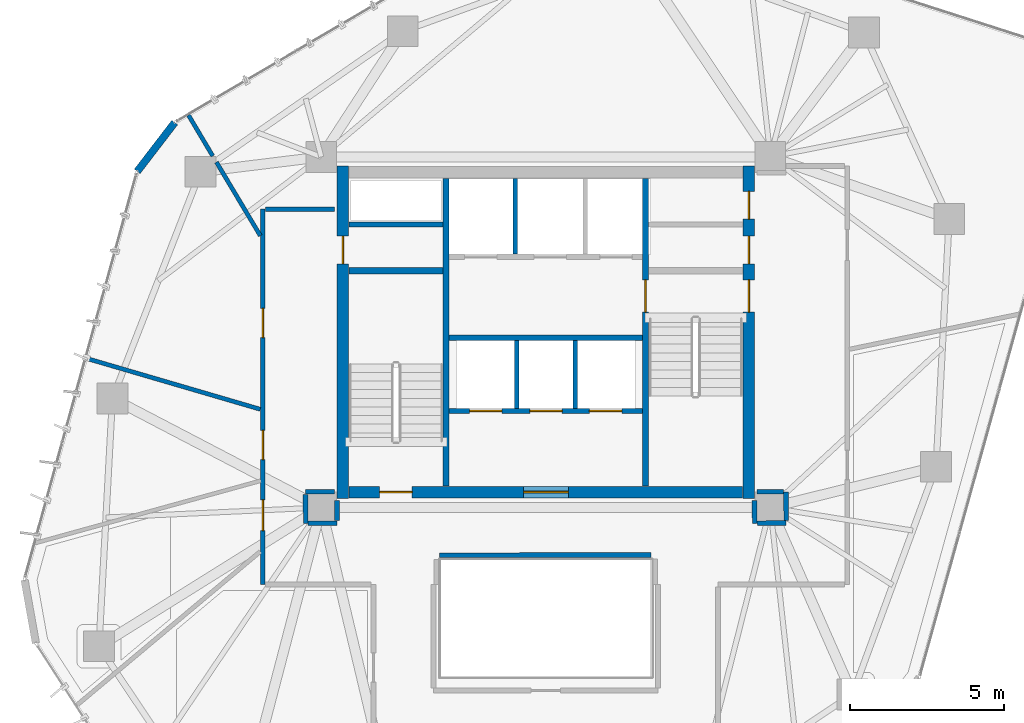
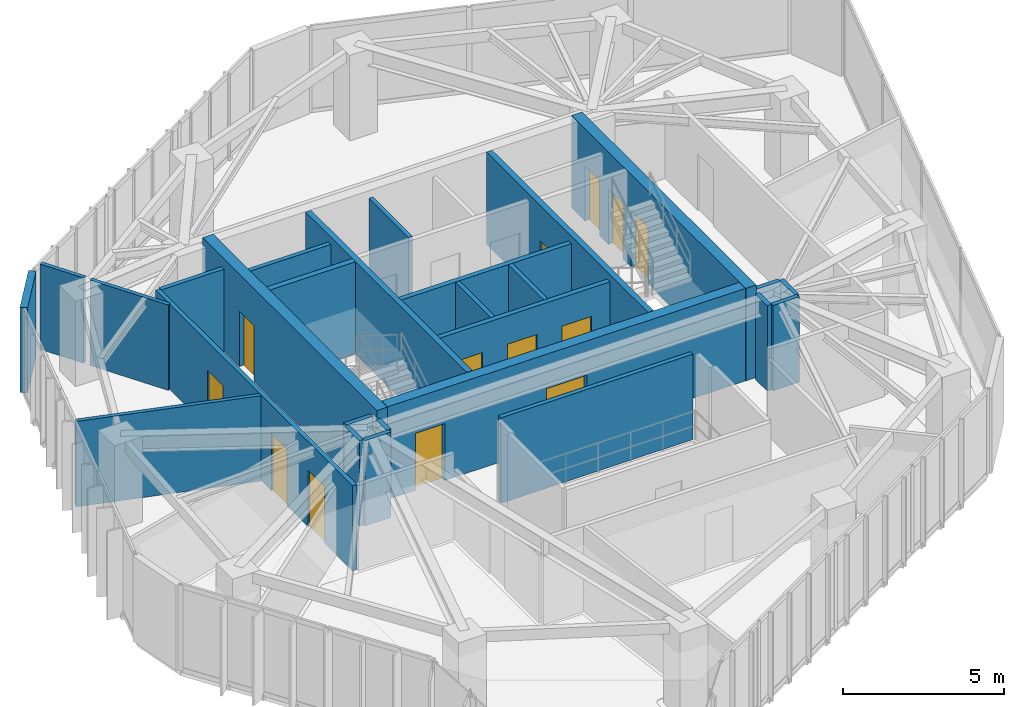
# One storey, part 16 of 19: 27 walls, 13 doors, 13 openings.
"""IFC4 building model written with IfcOpenShell, lengths in metres."""

from ifc_helpers import new_model, si_unit, direction, frame, frame_2d, origin, place, context, subcontext, project, spatial, rectangle, extrude, source, transform, mapped, material, layer, layer_set, type_object, type_shapes, element, fill, save


model = new_model("IFC4")

# Units and contexts
model_context = context("Model", 3, precision=1e-05, world=origin(), true_north=direction((0.0, 1.0)))
body_context = subcontext(model_context, "Body", "Model", "MODEL_VIEW")
ifc_project = project(units=[si_unit("LENGTHUNIT", "METRE"), si_unit("AREAUNIT", "SQUARE_METRE"), si_unit("VOLUMEUNIT", "CUBIC_METRE"), si_unit("PLANEANGLEUNIT", "RADIAN"), si_unit("MASSUNIT", "GRAM", prefix="KILO")], contexts=[model_context])

# Site, building, storey
site_placement = place(None, origin())
site = spatial("IfcSite", under=ifc_project, at=site_placement, CompositionType="ELEMENT")
building_placement = place(site_placement, origin())
building = spatial("IfcBuilding", under=site, at=building_placement, Name="Talar Marvaseh", CompositionType="ELEMENT")
storey_placement = place(building_placement, frame((0.0, 0.0, 181.0)))
storey = spatial("IfcBuildingStorey", under=building, at=storey_placement, Name="L47", CompositionType="ELEMENT", Elevation=181.0)

# Walls
ifc_material_1 = material(Name="Precast concrete C45/55", Category="concrete")
ifc_layer_1 = layer(ifc_material_1, 0.239990234375)
ifc_layer_set_1 = layer_set([ifc_layer_1], Name="Precast concrete C45/55")
wall_type_1 = type_object("IfcWallType", Name="Chamfered Hexagonal Corner Pier Wall Z3 240", PredefinedType="SOLIDWALL", material=ifc_layer_set_1)
wall_1_placement = place(storey_placement, frame((12.71630859375, 36.430419921875, 0.0), z_axis=(0.0, 0.0, 1.0), x_axis=(0.608797378934, 0.793325753649, 0.0)))
element("IfcWall", 1, at=wall_1_placement, inside=storey, type_object=wall_type_1, Name="L47 Chamfered Corner Limestone Pier 3", PredefinedType="SOLIDWALL", context=body_context, shape_type="SweptSolid", body=[
    extrude(rectangle(XDim=2.003173828125, YDim=0.239990234375, at=frame_2d((1.00146484375, 0.0))), origin(), (0.0, 0.0, 1.0), 3.22998046875),
])
ifc_material_2 = material(Name="Gypsum Board Partition Assembly")
ifc_layer_2 = layer(ifc_material_2, 0.155029296875)
ifc_layer_set_2 = layer_set([ifc_layer_2], Name="Gypsum Board Partition Assembly")
wall_type_2 = type_object("IfcWallType", Name="Corridor Fire-Rated Acoustic Partition 155", PredefinedType="PARTITIONING", material=ifc_layer_set_2)
wall_2_placement = place(storey_placement, frame((19.60009765625, 34.699951171875, 0.0), z_axis=(0.0, 0.0, 1.0), x_axis=(1.0, 0.0, 0.0)))
element("IfcWall", 2, at=wall_2_placement, inside=storey, type_object=wall_type_2, Name="L47 Core BOH Partition", PredefinedType="PARTITIONING", context=body_context, shape_type="SweptSolid", body=[
    extrude(rectangle(XDim=3.059814453125, YDim=0.155029296875, at=frame_2d((1.52978515625, 0.0))), origin(), (0.0, 0.0, 1.0), 3.22998046875),
])

# Wall, openings, doors
wall_3_placement = place(storey_placement, frame((16.800048828125, 23.0, 0.0), z_axis=(0.0, 0.0, 1.0), x_axis=(0.0, 1.0, 0.0)))
wall_3 = element("IfcWall", 3, at=wall_3_placement, inside=storey, type_object=wall_type_2, Name="L47 Interior Partition Wall", PredefinedType="PARTITIONING", context=body_context, shape_type="SweptSolid", body=[
    extrude(rectangle(XDim=12.199951171875, YDim=0.155029296875, at=frame_2d((6.10009765625, 0.0))), origin(), (0.0, 0.0, 1.0), 3.22998046875),
])
opening_1_placement = place(wall_3_placement, frame((4.056640625, 0.0, 0.0)))
opening_1 = element("IfcOpeningElement", 4, at=opening_1_placement, cuts=wall_3, Name="Opening DR-WC095", PredefinedType="OPENING", context=body_context, shape_type="SweptSolid", body=[
    extrude(rectangle(XDim=0.949951171875, YDim=2.14990234375, at=frame_2d((0.47509765625, 1.074951171875))), frame((0.0, 0.08740234375, 0.0), z_axis=(0.0, -1.0, 0.0), x_axis=(1.0, 0.0, 0.0)), (0.0, 0.0, 1.0), 0.175048828125),
])
opening_2_placement = place(wall_3_placement, frame((1.746826171875, 0.0, 0.0)))
opening_2 = element("IfcOpeningElement", 5, at=opening_2_placement, cuts=wall_3, Name="Opening DR-RM100", PredefinedType="OPENING", context=body_context, shape_type="SweptSolid", body=[
    extrude(rectangle(XDim=1.0, YDim=2.14990234375, at=frame_2d((0.5, 1.074951171875))), frame((0.0, 0.08740234375, 0.0), z_axis=(0.0, -1.0, 0.0), x_axis=(1.0, 0.0, 0.0)), (0.0, 0.0, 1.0), 0.175048828125),
])
opening_3_placement = place(wall_3_placement, frame((8.026123046875, 0.0, 0.0)))
opening_3 = element("IfcOpeningElement", 6, at=opening_3_placement, cuts=wall_3, Name="Opening DR-WC095", PredefinedType="OPENING", context=body_context, shape_type="SweptSolid", body=[
    extrude(rectangle(XDim=0.949951171875, YDim=2.14990234375, at=frame_2d((0.47509765625, 1.074951171875))), frame((0.0, 0.08740234375, 0.0), z_axis=(0.0, -1.0, 0.0), x_axis=(1.0, 0.0, 0.0)), (0.0, 0.0, 1.0), 0.175048828125),
])
ifc_material_3 = material(Name="Acoustic Engineered Oak Timber", Category="wood")
door_type_1 = type_object("IfcDoorType", Name="Washroom and Service Room Door 950x2150", OperationType="NOTDEFINED", PredefinedType="DOOR", material=ifc_material_3)
shared_shape_1 = source(origin(), body_context, "Body", "SweptSolid", [
    extrude(rectangle(XDim=0.949951171875, YDim=2.14990234375, at=frame_2d((0.47509765625, 1.074951171875))), frame((0.0, 0.02490234375, 0.0), z_axis=(0.0, -1.0, 0.0), x_axis=(1.0, 0.0, 0.0)), (0.0, 0.0, 1.0), 0.050048828125),
])
type_shapes(door_type_1, [shared_shape_1])
door_1_placement = place(opening_1_placement, origin())
door_1 = element("IfcDoor", 7, at=door_1_placement, inside=storey, type_object=door_type_1, Name="L47 Accessible WC Door", OperationType="SINGLE_SWING_RIGHT", OverallHeight=2.14990234375, OverallWidth=0.949951171875, PredefinedType="DOOR", context=body_context, shape_type="MappedRepresentation", body=[
    mapped(shared_shape_1, transform((0.0, 0.0, 0.0), x_axis=(1.0, 0.0, 0.0), y_axis=(0.0, 1.0, 0.0), z_axis=(0.0, 0.0, 1.0), scale=1.0)),
])
fill(opening_1, door_1)
door_2_placement = place(opening_3_placement, origin())
door_2 = element("IfcDoor", 8, at=door_2_placement, inside=storey, type_object=door_type_1, Name="L47 Manuscript Folio Archive Room Door", OperationType="SINGLE_SWING_LEFT", OverallHeight=2.14990234375, OverallWidth=0.949951171875, PredefinedType="DOOR", context=body_context, shape_type="MappedRepresentation", body=[
    mapped(shared_shape_1, transform((0.0, 0.0, 0.0), x_axis=(1.0, 0.0, 0.0), y_axis=(0.0, 1.0, 0.0), z_axis=(0.0, 0.0, 1.0), scale=1.0)),
])
fill(opening_3, door_2)
door_type_2 = type_object("IfcDoorType", Name="Corridor Fire-Rated Gallery Door 1000x2150", OperationType="NOTDEFINED", PredefinedType="DOOR", material=ifc_material_3)
shared_shape_2 = source(origin(), body_context, "Body", "SweptSolid", [
    extrude(rectangle(XDim=1.0, YDim=2.14990234375, at=frame_2d((0.5, 1.074951171875))), frame((0.0, 0.02490234375, 0.0), z_axis=(0.0, -1.0, 0.0), x_axis=(1.0, 0.0, 0.0)), (0.0, 0.0, 1.0), 0.050048828125),
])
type_shapes(door_type_2, [shared_shape_2])
door_3_placement = place(opening_2_placement, origin())
door_3 = element("IfcDoor", 9, at=door_3_placement, inside=storey, type_object=door_type_2, Name="L47 Seminar Room Door", OperationType="SINGLE_SWING_LEFT", OverallHeight=2.14990234375, OverallWidth=1.0, PredefinedType="DOOR", context=body_context, shape_type="MappedRepresentation", body=[
    mapped(shared_shape_2, transform((0.0, 0.0, 0.0), x_axis=(1.0, 0.0, 0.0), y_axis=(0.0, 1.0, 0.0), z_axis=(0.0, 0.0, 1.0), scale=1.0)),
])
fill(opening_2, door_3)

# Walls
wall_4_placement = place(storey_placement, frame((16.883544921875, 35.199951171875, 0.0), z_axis=(0.0, 0.0, 1.0), x_axis=(1.0, 0.0, 0.0)))
element("IfcWall", 10, at=wall_4_placement, inside=storey, type_object=wall_type_2, Name="L47 Interior Partition Wall", PredefinedType="PARTITIONING", context=body_context, shape_type="SweptSolid", body=[
    extrude(rectangle(XDim=2.246337890625, YDim=0.155029296875, at=frame_2d((1.123046875, 0.0))), origin(), (0.0, 0.0, 1.0), 3.22998046875),
])
wall_5_placement = place(storey_placement, frame((19.1298828125, 26.0146484375, 0.0), z_axis=(0.0, 0.0, 1.0), x_axis=(-0.99999026157, -0.004413248818, 0.0)))
element("IfcWall", 11, at=wall_5_placement, inside=storey, type_object=wall_type_2, Name="L47 Interior Partition Wall", PredefinedType="PARTITIONING", context=body_context, shape_type="SweptSolid", body=[
    extrude(rectangle(XDim=0.9404296875, YDim=0.155029296875, at=frame_2d((0.47021484375, 0.0))), origin(), (0.0, 0.0, 1.0), 3.22998046875),
])
wall_6_placement = place(storey_placement, frame((18.189697265625, 25.927001953125, 0.0), z_axis=(0.0, 0.0, 1.0), x_axis=(0.002078997586, -0.999997838882, 0.0)))
element("IfcWall", 12, at=wall_6_placement, inside=storey, type_object=wall_type_2, Name="L47 Interior Partition Wall", PredefinedType="PARTITIONING", context=body_context, shape_type="SweptSolid", body=[
    extrude(rectangle(XDim=0.939453125, YDim=0.155029296875, at=frame_2d((0.4697265625, 0.0))), origin(), (0.0, 0.0, 1.0), 3.22998046875),
])
wall_7_placement = place(storey_placement, frame((18.275146484375, 24.987548828125, 0.0), z_axis=(0.0, 0.0, 1.0), x_axis=(0.999999692748, 0.0007839036, 0.0)))
element("IfcWall", 13, at=wall_7_placement, inside=storey, type_object=wall_type_2, Name="L47 Interior Partition Wall", PredefinedType="PARTITIONING", context=body_context, shape_type="SweptSolid", body=[
    extrude(rectangle(XDim=0.934326171875, YDim=0.155029296875, at=frame_2d((0.46728515625, 0.0))), origin(), (0.0, 0.0, 1.0), 3.22998046875),
])
wall_8_placement = place(storey_placement, frame((19.210205078125, 25.072021484375, 0.0), z_axis=(0.0, 0.0, 1.0), x_axis=(0.007420945932, 0.999972464402, 0.0)))
element("IfcWall", 14, at=wall_8_placement, inside=storey, type_object=wall_type_2, Name="L47 Interior Partition Wall", PredefinedType="PARTITIONING", context=body_context, shape_type="SweptSolid", body=[
    extrude(rectangle(XDim=0.657958984375, YDim=0.155029296875, at=frame_2d((0.3291015625, 0.0))), origin(), (0.0, 0.0, 1.0), 3.22998046875),
])
wall_9_placement = place(storey_placement, frame((32.784912109375, 25.72998046875, 0.0), z_axis=(0.0, 0.0, 1.0), x_axis=(0.007570553288, -0.999971342951, 0.0)))
element("IfcWall", 15, at=wall_9_placement, inside=storey, type_object=wall_type_2, Name="L47 Interior Partition Wall", PredefinedType="PARTITIONING", context=body_context, shape_type="SweptSolid", body=[
    extrude(rectangle(XDim=0.74169921875, YDim=0.155029296875, at=frame_2d((0.370849609375, 0.0))), origin(), (0.0, 0.0, 1.0), 3.22998046875),
])
wall_10_placement = place(storey_placement, frame((32.8740234375, 24.9892578125, 0.0), z_axis=(0.0, 0.0, 1.0), x_axis=(0.999934835738, 0.01141596595, 0.0)))
element("IfcWall", 16, at=wall_10_placement, inside=storey, type_object=wall_type_2, Name="L47 Interior Partition Wall", PredefinedType="PARTITIONING", context=body_context, shape_type="SweptSolid", body=[
    extrude(rectangle(XDim=0.94091796875, YDim=0.155029296875, at=frame_2d((0.470458984375, 0.0))), origin(), (0.0, 0.0, 1.0), 3.22998046875),
])
wall_11_placement = place(storey_placement, frame((33.814697265625, 25.08349609375, 0.0), z_axis=(0.0, 0.0, 1.0), x_axis=(-0.004477173984, 0.999989977406, 0.0)))
element("IfcWall", 17, at=wall_11_placement, inside=storey, type_object=wall_type_2, Name="L47 Interior Partition Wall", PredefinedType="PARTITIONING", context=body_context, shape_type="SweptSolid", body=[
    extrude(rectangle(XDim=0.927001953125, YDim=0.155029296875, at=frame_2d((0.46337890625, 0.0))), origin(), (0.0, 0.0, 1.0), 3.22998046875),
])
wall_12_placement = place(storey_placement, frame((33.72705078125, 26.010986328125, 0.0), z_axis=(0.0, 0.0, 1.0), x_axis=(-0.999990868706, 0.004273465251, 0.0)))
element("IfcWall", 18, at=wall_12_placement, inside=storey, type_object=wall_type_2, Name="L47 Interior Partition Wall", PredefinedType="PARTITIONING", context=body_context, shape_type="SweptSolid", body=[
    extrude(rectangle(XDim=0.85693359375, YDim=0.155029296875, at=frame_2d((0.428466796875, 0.0))), origin(), (0.0, 0.0, 1.0), 3.22998046875),
])
wall_13_placement = place(storey_placement, frame((29.415771484375, 23.959228515625, 0.0), z_axis=(0.0, 0.0, 1.0), x_axis=(-0.999998607957, -0.001668557745, 0.0)))
element("IfcWall", 19, at=wall_13_placement, inside=storey, type_object=wall_type_2, Name="L47 Interior Partition Wall", PredefinedType="PARTITIONING", context=body_context, shape_type="SweptSolid", body=[
    extrude(rectangle(XDim=6.876953125, YDim=0.155029296875, at=frame_2d((3.4384765625, 0.0))), origin(), (0.0, 0.0, 1.0), 3.22998046875),
])
ifc_layer_3 = layer(ifc_material_1, 0.14501953125)
ifc_layer_set_3 = layer_set([ifc_layer_3], Name="Precast concrete C45/55")
wall_type_3 = type_object("IfcWallType", Name="Fire-Rated Lift Divider Wall 145", PredefinedType="SOLIDWALL", material=ifc_layer_set_3)
wall_14_placement = place(storey_placement, frame((25.0, 33.743408203125, 0.0), z_axis=(0.0, 0.0, 1.0), x_axis=(0.0, 1.0, 0.0)))
element("IfcWall", 20, at=wall_14_placement, inside=storey, type_object=wall_type_3, Name="L47 FFL-1/FFL-2 Divider", PredefinedType="SOLIDWALL", context=body_context, shape_type="SweptSolid", body=[
    extrude(rectangle(XDim=2.45654296875, YDim=0.14501953125, at=frame_2d((1.228271484375, 0.0))), origin(), (0.0, 0.0, 1.0), 3.22998046875),
])
for number, where, z_axis, x_axis, name in (
    (21, (25.050048828125, 28.719970703125, 0.0), (0.0, 0.0, 1.0), (0.0, 1.0, 0.0), "L47 PL-H1/PL-H2 Divider"),
    (22, (26.949951171875, 28.719970703125, 0.0), (0.0, 0.0, 1.0), (0.0, 1.0, 0.0), "L47 PL-H2/PL-H3 Divider"),
):
    element("IfcWall", number, at=place(storey_placement, frame(where, z_axis=z_axis, x_axis=x_axis)), inside=storey, type_object=wall_type_3, Name=name, PredefinedType="SOLIDWALL", context=body_context, shape_type="SweptSolid", body=[
        extrude(rectangle(XDim=2.20654296875, YDim=0.14501953125, at=frame_2d((1.103271484375, 0.0))), origin(), (0.0, 0.0, 1.0), 3.22998046875),
    ])
ifc_layer_4 = layer(ifc_material_1, 0.175048828125)
ifc_layer_set_4 = layer_set([ifc_layer_4], Name="Precast concrete C45/55")
wall_type_4 = type_object("IfcWallType", Name="Fire-Rated Lift Hoistway Enclosure Wall 175", PredefinedType="SOLIDWALL", material=ifc_layer_set_4)
wall_15_placement = place(storey_placement, frame((22.860107421875, 31.02001953125, 0.0), z_axis=(0.0, 0.0, 1.0), x_axis=(1.0, 0.0, 0.0)))
element("IfcWall", 23, at=wall_15_placement, inside=storey, type_object=wall_type_4, Name="L47 Firefighting Lobby South Smoke Wall", PredefinedType="SOLIDWALL", context=body_context, shape_type="SweptSolid", body=[
    extrude(rectangle(XDim=6.27978515625, YDim=0.175048828125, at=frame_2d((3.139892578125, 0.0))), origin(), (0.0, 0.0, 1.0), 3.22998046875),
])

# Wall, openings, doors
wall_16_placement = place(storey_placement, frame((22.860107421875, 28.639892578125, 0.0), z_axis=(0.0, 0.0, 1.0), x_axis=(1.0, 0.0, 0.0)))
wall_16 = element("IfcWall", 24, at=wall_16_placement, inside=storey, type_object=wall_type_4, Name="L47 High-Rise Lift Bank Front Wall", PredefinedType="SOLIDWALL", context=body_context, shape_type="SweptSolid", body=[
    extrude(rectangle(XDim=6.27978515625, YDim=0.175048828125, at=frame_2d((3.139892578125, 0.0))), origin(), (0.0, 0.0, 1.0), 3.22998046875),
])
opening_4_placement = place(wall_16_placement, frame((0.659912109375, 0.0, 0.0)))
opening_4 = element("IfcOpeningElement", 25, at=opening_4_placement, cuts=wall_16, Name="Opening LD-PLH1", PredefinedType="OPENING", context=body_context, shape_type="SweptSolid", body=[
    extrude(rectangle(XDim=1.050048828125, YDim=2.14990234375, at=frame_2d((0.52490234375, 1.074951171875))), frame((0.0, 0.09765625, 0.0), z_axis=(0.0, -1.0, 0.0), x_axis=(1.0, 0.0, 0.0)), (0.0, 0.0, 1.0), 0.195068359375),
])
opening_5_placement = place(wall_16_placement, frame((2.6201171875, 0.0, 0.0)))
opening_5 = element("IfcOpeningElement", 26, at=opening_5_placement, cuts=wall_16, Name="Opening LD-PLH2", PredefinedType="OPENING", context=body_context, shape_type="SweptSolid", body=[
    extrude(rectangle(XDim=1.050048828125, YDim=2.14990234375, at=frame_2d((0.52490234375, 1.074951171875))), frame((0.0, 0.09765625, 0.0), z_axis=(0.0, -1.0, 0.0), x_axis=(1.0, 0.0, 0.0)), (0.0, 0.0, 1.0), 0.195068359375),
])
opening_6_placement = place(wall_16_placement, frame((4.56005859375, 0.0, 0.0)))
opening_6 = element("IfcOpeningElement", 27, at=opening_6_placement, cuts=wall_16, Name="Opening LD-PLH3", PredefinedType="OPENING", context=body_context, shape_type="SweptSolid", body=[
    extrude(rectangle(XDim=1.050048828125, YDim=2.14990234375, at=frame_2d((0.52490234375, 1.074951171875))), frame((0.0, 0.09765625, 0.0), z_axis=(0.0, -1.0, 0.0), x_axis=(1.0, 0.0, 0.0)), (0.0, 0.0, 1.0), 0.195068359375),
])
ifc_material_4 = material(Name="Stainless Steel Grade 316", Category="steel")
door_type_3 = type_object("IfcDoorType", Name="Automatic Sliding Lift Landing Door 1050x2150", OperationType="NOTDEFINED", PredefinedType="DOOR", material=ifc_material_4)
shared_shape_3 = source(origin(), body_context, "Body", "SweptSolid", [
    extrude(rectangle(XDim=1.050048828125, YDim=2.14990234375, at=frame_2d((0.52490234375, 1.074951171875))), frame((0.0, 0.02490234375, 0.0), z_axis=(0.0, -1.0, 0.0), x_axis=(1.0, 0.0, 0.0)), (0.0, 0.0, 1.0), 0.050048828125),
])
type_shapes(door_type_3, [shared_shape_3])
door_4_placement = place(opening_4_placement, origin())
door_4 = element("IfcDoor", 28, at=door_4_placement, inside=storey, type_object=door_type_3, Name="L47 Lift PL-H1 Sliding Landing Door", OperationType="SLIDING_TO_LEFT", OverallHeight=2.14990234375, OverallWidth=1.050048828125, PredefinedType="DOOR", context=body_context, shape_type="MappedRepresentation", body=[
    mapped(shared_shape_3, transform((0.0, 0.0, 0.0), x_axis=(1.0, 0.0, 0.0), y_axis=(0.0, 1.0, 0.0), z_axis=(0.0, 0.0, 1.0), scale=1.0)),
])
fill(opening_4, door_4)
door_5_placement = place(opening_5_placement, origin())
door_5 = element("IfcDoor", 29, at=door_5_placement, inside=storey, type_object=door_type_3, Name="L47 Lift PL-H2 Sliding Landing Door", OperationType="SLIDING_TO_LEFT", OverallHeight=2.14990234375, OverallWidth=1.050048828125, PredefinedType="DOOR", context=body_context, shape_type="MappedRepresentation", body=[
    mapped(shared_shape_3, transform((0.0, 0.0, 0.0), x_axis=(1.0, 0.0, 0.0), y_axis=(0.0, 1.0, 0.0), z_axis=(0.0, 0.0, 1.0), scale=1.0)),
])
fill(opening_5, door_5)
door_6_placement = place(opening_6_placement, origin())
door_6 = element("IfcDoor", 30, at=door_6_placement, inside=storey, type_object=door_type_3, Name="L47 Lift PL-H3 Sliding Landing Door", OperationType="SLIDING_TO_LEFT", OverallHeight=2.14990234375, OverallWidth=1.050048828125, PredefinedType="DOOR", context=body_context, shape_type="MappedRepresentation", body=[
    mapped(shared_shape_3, transform((0.0, 0.0, 0.0), x_axis=(1.0, 0.0, 0.0), y_axis=(0.0, 1.0, 0.0), z_axis=(0.0, 0.0, 1.0), scale=1.0)),
])
fill(opening_6, door_6)

# Walls
ifc_layer_5 = layer(ifc_material_2, 0.135009765625)
ifc_layer_set_5 = layer_set([ifc_layer_5], Name="Gypsum Board Partition Assembly")
wall_type_5 = type_object("IfcWallType", Name="Gallery High-Acoustic Partition 135", PredefinedType="PARTITIONING", material=ifc_layer_set_5)
wall_17_placement = place(storey_placement, frame((11.059326171875, 30.35009765625, 0.0), z_axis=(0.0, 0.0, 1.0), x_axis=(0.959749116825, -0.280858741636, 0.0)))
element("IfcWall", 31, at=wall_17_placement, inside=storey, type_object=wall_type_5, Name="L47 Interior Partition Wall", PredefinedType="PARTITIONING", context=body_context, shape_type="SweptSolid", body=[
    extrude(rectangle(XDim=5.89453125, YDim=0.135009765625, at=frame_2d((2.947265625, 0.0))), origin(), (0.0, 0.0, 1.0), 3.22998046875),
])
wall_18_placement = place(storey_placement, frame((16.716552734375, 34.33984375, 0.0), z_axis=(0.0, 0.0, 1.0), x_axis=(-0.512495063341, 0.858690171163, 0.0)))
element("IfcWall", 32, at=wall_18_placement, inside=storey, type_object=wall_type_5, Name="L47 Interior Partition Wall", PredefinedType="PARTITIONING", context=body_context, shape_type="SweptSolid", body=[
    extrude(rectangle(XDim=2.783447265625, YDim=0.135009765625, at=frame_2d((1.3916015625, 0.0))), origin(), (0.0, 0.0, 1.0), 3.22998046875),
])
wall_19_placement = place(storey_placement, frame((15.169921875, 36.929931640625, 0.0), z_axis=(0.0, 0.0, 1.0), x_axis=(-0.510188038362, 0.860062884627, 0.0)))
element("IfcWall", 33, at=wall_19_placement, inside=storey, type_object=wall_type_5, Name="L47 Interior Partition Wall", PredefinedType="PARTITIONING", context=body_context, shape_type="SweptSolid", body=[
    extrude(rectangle(XDim=1.544189453125, YDim=0.135009765625, at=frame_2d((0.77197265625, 0.0))), origin(), (0.0, 0.0, 1.0), 3.22998046875),
])

# Wall, opening, door
ifc_material_5 = material(Name="Concrete C60/75", Category="concrete")
ifc_layer_6 = layer(ifc_material_5, 0.3798828125)
ifc_layer_set_6 = layer_set([ifc_layer_6], Name="Concrete C60/75")
wall_type_6 = type_object("IfcWallType", Name="Mid Core Reinforced Concrete Shear Wall 380", PredefinedType="SHEAR", material=ifc_layer_set_6)
wall_20_placement = place(storey_placement, frame((19.39990234375, 25.800048828125, 0.0), z_axis=(0.0, 0.0, 1.0), x_axis=(0.0, 1.0, 0.0)))
wall_20 = element("IfcWall", 34, at=wall_20_placement, inside=storey, type_object=wall_type_6, Name="L47 West Core Shear Wall", PredefinedType="SHEAR", context=body_context, shape_type="SweptSolid", body=[
    extrude(rectangle(XDim=10.800048828125, YDim=0.3798828125, at=frame_2d((5.39990234375, 0.0))), origin(), (0.0, 0.0, 1.0), 3.5),
])
opening_7_placement = place(wall_20_placement, frame((7.6201171875, 0.0, 0.0)))
opening_7 = element("IfcOpeningElement", 35, at=opening_7_placement, cuts=wall_20, Name="Opening DR-BOH090", PredefinedType="OPENING", context=body_context, shape_type="SweptSolid", body=[
    extrude(rectangle(XDim=0.89990234375, YDim=2.10009765625, at=frame_2d((0.449951171875, 1.050048828125))), frame((0.0, 0.199951171875, 0.0), z_axis=(0.0, -1.0, 0.0), x_axis=(1.0, 0.0, 0.0)), (0.0, 0.0, 1.0), 0.39990234375),
])
ifc_material_6 = material(Name="Fire-Rated Steel Door Leaf", Category="steel")
door_type_4 = type_object("IfcDoorType", Name="Core Back-of-House Service Door 900x2100", OperationType="NOTDEFINED", PredefinedType="DOOR", material=ifc_material_6)
shared_shape_4 = source(origin(), body_context, "Body", "SweptSolid", [
    extrude(rectangle(XDim=0.89990234375, YDim=2.10009765625, at=frame_2d((0.449951171875, 1.050048828125))), frame((0.0, 0.02490234375, 0.0), z_axis=(0.0, -1.0, 0.0), x_axis=(1.0, 0.0, 0.0)), (0.0, 0.0, 1.0), 0.050048828125),
])
type_shapes(door_type_4, [shared_shape_4])
door_7_placement = place(opening_7_placement, origin())
door_7 = element("IfcDoor", 36, at=door_7_placement, inside=storey, type_object=door_type_4, Name="L47 Cleaner Core West Closet Door", OperationType="SINGLE_SWING_LEFT", OverallHeight=2.10009765625, OverallWidth=0.89990234375, PredefinedType="DOOR", context=body_context, shape_type="MappedRepresentation", body=[
    mapped(shared_shape_4, transform((0.0, 0.0, 0.0), x_axis=(1.0, 0.0, 0.0), y_axis=(0.0, 1.0, 0.0), z_axis=(0.0, 0.0, 1.0), scale=1.0)),
])
fill(opening_7, door_7)

# Wall, openings, doors
wall_21_placement = place(storey_placement, frame((32.60009765625, 36.60009765625, 0.0), z_axis=(0.0, 0.0, 1.0), x_axis=(0.0, -1.0, 0.0)))
wall_21 = element("IfcWall", 37, at=wall_21_placement, inside=storey, type_object=wall_type_6, Name="L47 East Core Shear Wall", PredefinedType="SHEAR", context=body_context, shape_type="SweptSolid", body=[
    extrude(rectangle(XDim=10.800048828125, YDim=0.3798828125, at=frame_2d((5.39990234375, 0.0))), origin(), (0.0, 0.0, 1.0), 3.5),
])
opening_8_placement = place(wall_21_placement, frame((3.699951171875, 0.0, 0.0)))
opening_8 = element("IfcOpeningElement", 38, at=opening_8_placement, cuts=wall_21, Name="Opening DR-ST105", PredefinedType="OPENING", context=body_context, shape_type="SweptSolid", body=[
    extrude(rectangle(XDim=1.050048828125, YDim=2.14990234375, at=frame_2d((0.52490234375, 1.074951171875))), frame((0.0, 0.199951171875, 0.0), z_axis=(0.0, -1.0, 0.0), x_axis=(1.0, 0.0, 0.0)), (0.0, 0.0, 1.0), 0.39990234375),
])
opening_9_placement = place(wall_21_placement, frame((2.280029296875, 0.0, 0.0)))
opening_9 = element("IfcOpeningElement", 39, at=opening_9_placement, cuts=wall_21, Name="Opening DR-BOH090", PredefinedType="OPENING", context=body_context, shape_type="SweptSolid", body=[
    extrude(rectangle(XDim=0.89990234375, YDim=2.10009765625, at=frame_2d((0.449951171875, 1.050048828125))), frame((0.0, 0.199951171875, 0.0), z_axis=(0.0, -1.0, 0.0), x_axis=(1.0, 0.0, 0.0)), (0.0, 0.0, 1.0), 0.39990234375),
])
opening_10_placement = place(wall_21_placement, frame((0.820068359375, 0.0, 0.0)))
opening_10 = element("IfcOpeningElement", 40, at=opening_10_placement, cuts=wall_21, Name="Opening DR-BOH090", PredefinedType="OPENING", context=body_context, shape_type="SweptSolid", body=[
    extrude(rectangle(XDim=0.89990234375, YDim=2.10009765625, at=frame_2d((0.449951171875, 1.050048828125))), frame((0.0, 0.199951171875, 0.0), z_axis=(0.0, -1.0, 0.0), x_axis=(1.0, 0.0, 0.0)), (0.0, 0.0, 1.0), 0.39990234375),
])
door_type_5 = type_object("IfcDoorType", Name="Protected Exit Stair Fire Door 1050x2150", OperationType="NOTDEFINED", PredefinedType="DOOR", material=ifc_material_6)
shared_shape_5 = source(origin(), body_context, "Body", "SweptSolid", [
    extrude(rectangle(XDim=1.050048828125, YDim=2.14990234375, at=frame_2d((0.52490234375, 1.074951171875))), frame((0.0, 0.02490234375, 0.0), z_axis=(0.0, -1.0, 0.0), x_axis=(1.0, 0.0, 0.0)), (0.0, 0.0, 1.0), 0.050048828125),
])
type_shapes(door_type_5, [shared_shape_5])
door_8_placement = place(opening_8_placement, origin())
door_8 = element("IfcDoor", 41, at=door_8_placement, inside=storey, type_object=door_type_5, Name="L47 Stair ST-2 Corridor Exit Door", OperationType="SINGLE_SWING_LEFT", OverallHeight=2.14990234375, OverallWidth=1.050048828125, PredefinedType="DOOR", context=body_context, shape_type="MappedRepresentation", body=[
    mapped(shared_shape_5, transform((0.0, 0.0, 0.0), x_axis=(1.0, 0.0, 0.0), y_axis=(0.0, 1.0, 0.0), z_axis=(0.0, 0.0, 1.0), scale=1.0)),
])
fill(opening_8, door_8)
door_9_placement = place(opening_9_placement, origin())
door_9 = element("IfcDoor", 42, at=door_9_placement, inside=storey, type_object=door_type_4, Name="L47 Cleaner Core East Closet Door", OperationType="SINGLE_SWING_LEFT", OverallHeight=2.10009765625, OverallWidth=0.89990234375, PredefinedType="DOOR", context=body_context, shape_type="MappedRepresentation", body=[
    mapped(shared_shape_4, transform((0.0, 0.0, 0.0), x_axis=(1.0, 0.0, 0.0), y_axis=(0.0, 1.0, 0.0), z_axis=(0.0, 0.0, 1.0), scale=1.0)),
])
fill(opening_9, door_9)
door_10_placement = place(opening_10_placement, origin())
door_10 = element("IfcDoor", 43, at=door_10_placement, inside=storey, type_object=door_type_4, Name="L47 Store Core Supplies Room Door", OperationType="SINGLE_SWING_RIGHT", OverallHeight=2.10009765625, OverallWidth=0.89990234375, PredefinedType="DOOR", context=body_context, shape_type="MappedRepresentation", body=[
    mapped(shared_shape_4, transform((0.0, 0.0, 0.0), x_axis=(1.0, 0.0, 0.0), y_axis=(0.0, 1.0, 0.0), z_axis=(0.0, 0.0, 1.0), scale=1.0)),
])
fill(opening_10, door_10)

wall_22_placement = place(storey_placement, frame((32.39990234375, 26.0, 0.0), z_axis=(0.0, 0.0, 1.0), x_axis=(-1.0, 0.0, 0.0)))
wall_22 = element("IfcWall", 44, at=wall_22_placement, inside=storey, type_object=wall_type_6, Name="L47 South Core Shear Wall", PredefinedType="SHEAR", context=body_context, shape_type="SweptSolid", body=[
    extrude(rectangle(XDim=12.7998046875, YDim=0.3798828125, at=frame_2d((6.39990234375, 0.0))), origin(), (0.0, 0.0, 1.0), 3.5),
])
opening_11_placement = place(wall_22_placement, frame((10.75, 0.0, 0.0)))
opening_11 = element("IfcOpeningElement", 45, at=opening_11_placement, cuts=wall_22, Name="Opening DR-ST105", PredefinedType="OPENING", context=body_context, shape_type="SweptSolid", body=[
    extrude(rectangle(XDim=1.050048828125, YDim=2.14990234375, at=frame_2d((0.52490234375, 1.074951171875))), frame((0.0, 0.199951171875, 0.0), z_axis=(0.0, -1.0, 0.0), x_axis=(1.0, 0.0, 0.0)), (0.0, 0.0, 1.0), 0.39990234375),
])
opening_12_placement = place(wall_22_placement, frame((5.669921875, 0.0, 0.0)))
opening_12 = element("IfcOpeningElement", 46, at=opening_12_placement, cuts=wall_22, Name="Opening DR-LBY145", PredefinedType="OPENING", context=body_context, shape_type="SweptSolid", body=[
    extrude(rectangle(XDim=1.449951171875, YDim=2.199951171875, at=frame_2d((0.72509765625, 1.10009765625))), frame((0.0, 0.199951171875, 0.0), z_axis=(0.0, -1.0, 0.0), x_axis=(1.0, 0.0, 0.0)), (0.0, 0.0, 1.0), 0.39990234375),
])
door_11_placement = place(opening_11_placement, origin())
door_11 = element("IfcDoor", 47, at=door_11_placement, inside=storey, type_object=door_type_5, Name="L47 Stair ST-1 Exit Door", OperationType="SINGLE_SWING_RIGHT", OverallHeight=2.14990234375, OverallWidth=1.050048828125, PredefinedType="DOOR", context=body_context, shape_type="MappedRepresentation", body=[
    mapped(shared_shape_5, transform((0.0, 0.0, 0.0), x_axis=(1.0, 0.0, 0.0), y_axis=(0.0, 1.0, 0.0), z_axis=(0.0, 0.0, 1.0), scale=1.0)),
])
fill(opening_11, door_11)
door_type_6 = type_object("IfcDoorType", Name="Core Lift Lobby Double Smoke Door 1450x2200", OperationType="NOTDEFINED", PredefinedType="DOOR", material=ifc_material_6)
shared_shape_6 = source(origin(), body_context, "Body", "SweptSolid", [
    extrude(rectangle(XDim=1.449951171875, YDim=2.199951171875, at=frame_2d((0.72509765625, 1.10009765625))), frame((0.0, 0.02490234375, 0.0), z_axis=(0.0, -1.0, 0.0), x_axis=(1.0, 0.0, 0.0)), (0.0, 0.0, 1.0), 0.050048828125),
])
type_shapes(door_type_6, [shared_shape_6])
door_12_placement = place(opening_12_placement, origin())
door_12 = element("IfcDoor", 48, at=door_12_placement, inside=storey, type_object=door_type_6, Name="L47 Passenger Lift Lobby Entrance Door", OperationType="DOUBLE_DOOR_SINGLE_SWING", OverallHeight=2.199951171875, OverallWidth=1.449951171875, PredefinedType="DOOR", context=body_context, shape_type="MappedRepresentation", body=[
    mapped(shared_shape_6, transform((0.0, 0.0, 0.0), x_axis=(1.0, 0.0, 0.0), y_axis=(0.0, 1.0, 0.0), z_axis=(0.0, 0.0, 1.0), scale=1.0)),
])
fill(opening_12, door_12)

# Wall
ifc_material_7 = material(Name="Concrete C50/60", Category="concrete")
ifc_layer_7 = layer(ifc_material_7, 0.199951171875)
ifc_layer_set_7 = layer_set([ifc_layer_7], Name="Concrete C50/60")
wall_type_7 = type_object("IfcWallType", Name="Stair Shaft Structural Concrete Shear Wall 200", PredefinedType="SHEAR", material=ifc_layer_set_7)
wall_23_placement = place(storey_placement, frame((22.760009765625, 26.199951171875, 0.0), z_axis=(0.0, 0.0, 1.0), x_axis=(0.0, 1.0, 0.0)))
element("IfcWall", 49, at=wall_23_placement, inside=storey, type_object=wall_type_7, Name="L47 Core West Stair Shear Wall", PredefinedType="SHEAR", context=body_context, shape_type="SweptSolid", body=[
    extrude(rectangle(XDim=10.0, YDim=0.199951171875, at=frame_2d((5.0, 0.0))), origin(), (0.0, 0.0, 1.0), 3.5),
])

# Wall, opening, door
wall_24_placement = place(storey_placement, frame((29.239990234375, 26.199951171875, 0.0), z_axis=(0.0, 0.0, 1.0), x_axis=(0.0, 1.0, 0.0)))
wall_24 = element("IfcWall", 50, at=wall_24_placement, inside=storey, type_object=wall_type_7, Name="L47 Core East Stair Shear Wall", PredefinedType="SHEAR", context=body_context, shape_type="SweptSolid", body=[
    extrude(rectangle(XDim=10.0, YDim=0.199951171875, at=frame_2d((5.0, 0.0))), origin(), (0.0, 0.0, 1.0), 3.5),
])
opening_13_placement = place(wall_24_placement, frame((5.64990234375, 0.0, 0.0)))
opening_13 = element("IfcOpeningElement", 51, at=opening_13_placement, cuts=wall_24, Name="Opening DR-ST105", PredefinedType="OPENING", context=body_context, shape_type="SweptSolid", body=[
    extrude(rectangle(XDim=1.050048828125, YDim=2.14990234375, at=frame_2d((0.52490234375, 1.074951171875))), frame((0.0, 0.10986328125, 0.0), z_axis=(0.0, -1.0, 0.0), x_axis=(1.0, 0.0, 0.0)), (0.0, 0.0, 1.0), 0.219970703125),
])
door_13_placement = place(opening_13_placement, origin())
door_13 = element("IfcDoor", 52, at=door_13_placement, inside=storey, type_object=door_type_5, Name="L47 Firefighting Lobby to Stair ST-2 Door", OperationType="SINGLE_SWING_LEFT", OverallHeight=2.14990234375, OverallWidth=1.050048828125, PredefinedType="DOOR", context=body_context, shape_type="MappedRepresentation", body=[
    mapped(shared_shape_5, transform((0.0, 0.0, 0.0), x_axis=(1.0, 0.0, 0.0), y_axis=(0.0, 1.0, 0.0), z_axis=(0.0, 0.0, 1.0), scale=1.0)),
])
fill(opening_13, door_13)

# Wall
wall_25_placement = place(storey_placement, frame((19.60009765625, 33.199951171875, 0.0), z_axis=(0.0, 0.0, 1.0), x_axis=(1.0, 0.0, 0.0)))
element("IfcWall", 53, at=wall_25_placement, inside=storey, type_object=wall_type_7, Name="L47 Stair ST-1 North Shear Wall", PredefinedType="SHEAR", context=body_context, shape_type="SweptSolid", body=[
    extrude(rectangle(XDim=3.059814453125, YDim=0.199951171875, at=frame_2d((1.52978515625, 0.0))), origin(), (0.0, 0.0, 1.0), 3.5),
])

save(model, "model.ifc")
